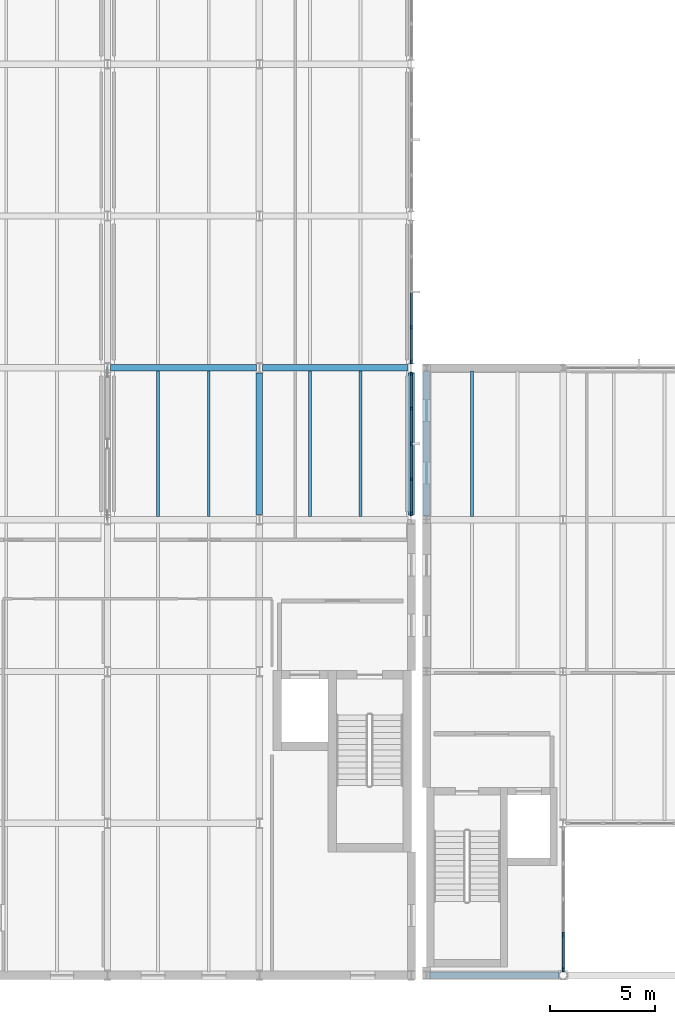
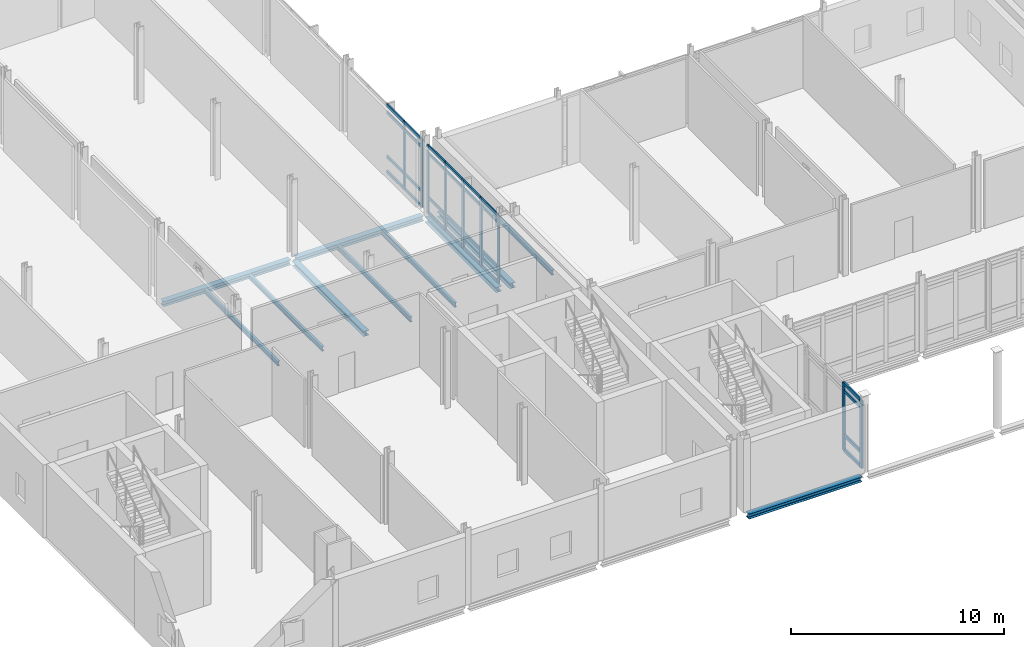
# One storey, part 14 of 72: 37 members, 11 beams, 3 elements without a shape of their own.
"""IFC4 building model written with IfcOpenShell, lengths in metres."""

from ifc_helpers import new_model, si_unit, direction, frame, origin, origin_2d, place, context, subcontext, project, spatial, rectangle, i_section, extrude, material, layer, layer_set, material_profile, profile_set, type_object, element, aggregate, save


model = new_model("IFC4")

# Units and contexts
model_context = context("Model", 3, precision=1e-05, world=origin(), true_north=direction((0.0, 1.0)))
body_context = subcontext(model_context, "Body", "Model", "MODEL_VIEW")
ifc_project = project(units=[si_unit("LENGTHUNIT", "METRE"), si_unit("AREAUNIT", "SQUARE_METRE"), si_unit("VOLUMEUNIT", "CUBIC_METRE"), si_unit("PLANEANGLEUNIT", "RADIAN"), si_unit("MASSUNIT", "GRAM", prefix="KILO")], contexts=[model_context])

# Site, building, storey
site_placement = place(None, origin())
site = spatial("IfcSite", under=ifc_project, at=site_placement, CompositionType="ELEMENT")
building_placement = place(site_placement, origin())
building = spatial("IfcBuilding", under=site, at=building_placement, Name="Zarrinpeak Specialist Clinic", CompositionType="ELEMENT")
storey_placement = place(building_placement, frame((0.0, 0.0, 9.60009765625)))
storey = spatial("IfcBuildingStorey", under=building, at=storey_placement, Name="L02", CompositionType="ELEMENT", Elevation=9.60009765625)

# Beams
ifc_material_1 = material(Name="Steel S355", Category="steel")
ifc_material_profile_1 = material_profile(ifc_material_1, i_section(OverallWidth=0.300048828125, OverallDepth=0.2900390625, WebThickness=0.008544921875, FlangeThickness=0.013916015625, FilletRadius=0.027099609375, at=origin_2d()), Name="HEA 300")
ifc_profile_set_1 = profile_set([ifc_material_profile_1], Name="Steel S355")
beam_type_1 = type_object("IfcBeamType", Name="BM-HEA300", PredefinedType="BEAM", material=ifc_profile_set_1)
beam_1_placement = place(storey_placement, frame((29.66796875, 0.0, -0.360107421875), z_axis=(1.0, 0.0, 0.0), x_axis=(0.0, 1.0, 0.0)))
element("IfcBeam", 1, at=beam_1_placement, inside=storey, type_object=beam_type_1, Name="L02 Primary Floor Girder BM-L02-X1112", PredefinedType="BEAM", context=body_context, shape_type="SweptSolid", body=[
    extrude(i_section(OverallWidth=0.300048828125, OverallDepth=0.2900390625, WebThickness=0.008544921875, FlangeThickness=0.013916015625, FilletRadius=0.027099609375, at=origin_2d()), origin(), (0.0, 0.0, 1.0), 6.130859375),
])
beam_2_placement = place(storey_placement, frame((14.548095703125, 28.800048828125, -0.360107421875), z_axis=(1.0, 0.0, 0.0), x_axis=(0.0, 1.0, 0.0)))
element("IfcBeam", 2, at=beam_2_placement, inside=storey, type_object=beam_type_1, Name="L02 Primary Floor Girder BM-L02-X1149", PredefinedType="BEAM", context=body_context, shape_type="SweptSolid", body=[
    extrude(i_section(OverallWidth=0.300048828125, OverallDepth=0.2900390625, WebThickness=0.008544921875, FlangeThickness=0.013916015625, FilletRadius=0.027099609375, at=origin_2d()), origin(), (0.0, 0.0, 1.0), 6.90380859375),
])
beam_3_placement = place(storey_placement, frame((21.748046875, 28.800048828125, -0.360107421875), z_axis=(1.0, 0.0, 0.0), x_axis=(0.0, 1.0, 0.0)))
element("IfcBeam", 3, at=beam_3_placement, inside=storey, type_object=beam_type_1, Name="L02 Primary Floor Girder BM-L02-X1150", PredefinedType="BEAM", context=body_context, shape_type="SweptSolid", body=[
    extrude(i_section(OverallWidth=0.300048828125, OverallDepth=0.2900390625, WebThickness=0.008544921875, FlangeThickness=0.013916015625, FilletRadius=0.027099609375, at=origin_2d()), origin(), (0.0, 0.0, 1.0), 6.904052734375),
])
for number, where, z_axis, x_axis, name in (
    (4, (21.60009765625, 21.847900390625, -0.360107421875), (0.0, 1.0, 0.0), (-1.0, 0.0, 0.0), "L02 Primary Beam BM-L02-Y1257"),
    (5, (28.800048828125, 21.847900390625, -0.360107421875), (0.0, 1.0, 0.0), (-1.0, 0.0, 0.0), "L02 Primary Beam BM-L02-Y1266"),
):
    element("IfcBeam", number, at=place(storey_placement, frame(where, z_axis=z_axis, x_axis=x_axis)), inside=storey, type_object=beam_type_1, Name=name, PredefinedType="BEAM", context=body_context, shape_type="SweptSolid", body=[
        extrude(i_section(OverallWidth=0.300048828125, OverallDepth=0.2900390625, WebThickness=0.008544921875, FlangeThickness=0.013916015625, FilletRadius=0.027099609375, at=origin_2d()), origin(), (0.0, 0.0, 1.0), 6.7041015625),
    ])
beam_4_placement = place(storey_placement, frame((29.52001953125, 21.798095703125, -0.360107421875), z_axis=(0.0, 1.0, 0.0), x_axis=(-1.0, 0.0, 0.0)))
element("IfcBeam", 6, at=beam_4_placement, inside=storey, type_object=beam_type_1, Name="L02 Primary Beam BM-L02-Y1274", PredefinedType="BEAM", context=body_context, shape_type="SweptSolid", body=[
    extrude(i_section(OverallWidth=0.300048828125, OverallDepth=0.2900390625, WebThickness=0.008544921875, FlangeThickness=0.013916015625, FilletRadius=0.027099609375, at=origin_2d()), origin(), (0.0, 0.0, 1.0), 6.843994140625),
])
ifc_material_profile_2 = material_profile(ifc_material_1, i_section(OverallWidth=0.135009765625, OverallDepth=0.27001953125, WebThickness=0.006591796875, FlangeThickness=0.01025390625, FilletRadius=0.014892578125, at=origin_2d()), Name="IPE 270")
ifc_profile_set_2 = profile_set([ifc_material_profile_2], Name="Steel S355")
beam_type_2 = type_object("IfcBeamType", Name="BM-JST270", PredefinedType="JOIST", material=ifc_profile_set_2)
for number, where, z_axis, x_axis, name in (
    (7, (16.800048828125, 21.748046875, -0.35009765625), (0.0, 1.0, 0.0), (-1.0, 0.0, 0.0), "L02 Composite Floor Joist JST-L02-1359"),
    (8, (19.199951171875, 21.748046875, -0.35009765625), (0.0, 1.0, 0.0), (-1.0, 0.0, 0.0), "L02 Composite Floor Joist JST-L02-1360"),
    (9, (24.0, 21.748046875, -0.35009765625), (0.0, 1.0, 0.0), (-1.0, 0.0, 0.0), "L02 Composite Floor Joist JST-L02-1367"),
    (10, (26.39990234375, 21.748046875, -0.35009765625), (0.0, 1.0, 0.0), (-1.0, 0.0, 0.0), "L02 Composite Floor Joist JST-L02-1368"),
    (11, (31.679931640625, 21.748046875, -0.35009765625), (0.0, 1.0, 0.0), (-1.0, 0.0, 0.0), "L02 Composite Floor Joist JST-L02-1377"),
):
    element("IfcBeam", number, at=place(storey_placement, frame(where, z_axis=z_axis, x_axis=x_axis)), inside=storey, type_object=beam_type_2, Name=name, PredefinedType="JOIST", context=body_context, shape_type="SweptSolid", body=[
        extrude(i_section(OverallWidth=0.135009765625, OverallDepth=0.27001953125, WebThickness=0.006591796875, FlangeThickness=0.01025390625, FilletRadius=0.014892578125, at=origin_2d()), origin(), (0.0, 0.0, 1.0), 6.904052734375),
    ])

# Curtain wall, members
ifc_material_2 = material(Name="Anodised Aluminium Alloy 6063-T6", Category="aluminium")
ifc_layer_1 = layer(ifc_material_2, 0.179931640625)
ifc_layer_set_1 = layer_set([ifc_layer_1], Name="Anodised Aluminium Alloy 6063-T6")
curtain_wall_type_1 = type_object("IfcCurtainWallType", Name="CW-COURT", PredefinedType="NOTDEFINED", material=ifc_layer_set_1)
curtain_wall_1_placement = place(storey_placement, origin())
curtain_wall_1 = element("IfcCurtainWall", 12, at=curtain_wall_1_placement, inside=storey, type_object=curtain_wall_type_1, Name="L02 V1 Unitised Curtain Wall CW-L02-V1-015", PredefinedType="NOTDEFINED")
ifc_material_profile_3 = material_profile(ifc_material_2, rectangle(XDim=0.074951171875, YDim=0.179931640625, at=origin_2d()), Name="ALU 75x180")
ifc_profile_set_3 = profile_set([ifc_material_profile_3], Name="Anodised Aluminium Alloy 6063-T6")
member_type_1 = type_object("IfcMemberType", Name="CWM-75", PredefinedType="MULLION", material=ifc_profile_set_3)
member_1_placement = place(storey_placement, frame((28.800048828125, 21.887451171875, 0.0), z_axis=(0.0, 0.0, 1.0), x_axis=(-1.0, 0.0, 0.0)))
member_1 = element("IfcMember", 13, at=member_1_placement, type_object=member_type_1, Name="CW-01 mullion 1", PredefinedType="MULLION", context=body_context, shape_type="SweptSolid", body=[
    extrude(rectangle(XDim=0.074951171875, YDim=0.179931640625, at=origin_2d()), origin(), (0.0, 0.0, 1.0), 3.89501953125),
])
member_2_placement = place(storey_placement, frame((28.800048828125, 23.52490234375, 0.0), z_axis=(0.0, 0.0, 1.0), x_axis=(-1.0, 0.0, 0.0)))
member_2 = element("IfcMember", 14, at=member_2_placement, type_object=member_type_1, Name="CW-01 mullion 2", PredefinedType="MULLION", context=body_context, shape_type="SweptSolid", body=[
    extrude(rectangle(XDim=0.074951171875, YDim=0.179931640625, at=origin_2d()), origin(), (0.0, 0.0, 1.0), 3.89501953125),
])
member_3_placement = place(storey_placement, frame((28.800048828125, 25.199951171875, 0.0), z_axis=(0.0, 0.0, 1.0), x_axis=(-1.0, 0.0, 0.0)))
member_3 = element("IfcMember", 15, at=member_3_placement, type_object=member_type_1, Name="CW-01 mullion 3", PredefinedType="MULLION", context=body_context, shape_type="SweptSolid", body=[
    extrude(rectangle(XDim=0.074951171875, YDim=0.179931640625, at=origin_2d()), origin(), (0.0, 0.0, 1.0), 3.89501953125),
])
member_4_placement = place(storey_placement, frame((28.800048828125, 26.875, 0.0), z_axis=(0.0, 0.0, 1.0), x_axis=(-1.0, 0.0, 0.0)))
member_4 = element("IfcMember", 16, at=member_4_placement, type_object=member_type_1, Name="CW-01 mullion 4", PredefinedType="MULLION", context=body_context, shape_type="SweptSolid", body=[
    extrude(rectangle(XDim=0.074951171875, YDim=0.179931640625, at=origin_2d()), origin(), (0.0, 0.0, 1.0), 3.89501953125),
])
member_5_placement = place(storey_placement, frame((28.800048828125, 28.512451171875, 0.0), z_axis=(0.0, 0.0, 1.0), x_axis=(-1.0, 0.0, 0.0)))
member_5 = element("IfcMember", 17, at=member_5_placement, type_object=member_type_1, Name="CW-01 mullion 5", PredefinedType="MULLION", context=body_context, shape_type="SweptSolid", body=[
    extrude(rectangle(XDim=0.074951171875, YDim=0.179931640625, at=origin_2d()), origin(), (0.0, 0.0, 1.0), 3.89501953125),
])

curtain_wall_2_placement = place(storey_placement, origin())
curtain_wall_2 = element("IfcCurtainWall", 18, at=curtain_wall_2_placement, inside=storey, type_object=curtain_wall_type_1, Name="L02 V1 Unitised Curtain Wall CW-L02-V1-016", PredefinedType="NOTDEFINED")
member_6_placement = place(storey_placement, frame((28.800048828125, 29.08740234375, 0.0), z_axis=(0.0, 0.0, 1.0), x_axis=(-1.0, 0.0, 0.0)))
member_6 = element("IfcMember", 19, at=member_6_placement, type_object=member_type_1, Name="CW-01 mullion 1", PredefinedType="MULLION", context=body_context, shape_type="SweptSolid", body=[
    extrude(rectangle(XDim=0.074951171875, YDim=0.179931640625, at=origin_2d()), origin(), (0.0, 0.0, 1.0), 3.885009765625),
])
member_7_placement = place(storey_placement, frame((28.800048828125, 30.72509765625, 0.0), z_axis=(0.0, 0.0, 1.0), x_axis=(-1.0, 0.0, 0.0)))
member_7 = element("IfcMember", 20, at=member_7_placement, type_object=member_type_1, Name="CW-01 mullion 2", PredefinedType="MULLION", context=body_context, shape_type="SweptSolid", body=[
    extrude(rectangle(XDim=0.074951171875, YDim=0.179931640625, at=origin_2d()), origin(), (0.0, 0.0, 1.0), 3.885009765625),
])

ifc_layer_2 = layer(ifc_material_2, 0.18994140625)
ifc_layer_set_2 = layer_set([ifc_layer_2], Name="Anodised Aluminium Alloy 6063-T6")
curtain_wall_type_2 = type_object("IfcCurtainWallType", Name="CW-LOGGIA", PredefinedType="NOTDEFINED", material=ifc_layer_set_2)
curtain_wall_3_placement = place(storey_placement, origin())
curtain_wall_3 = element("IfcCurtainWall", 21, at=curtain_wall_3_placement, inside=storey, type_object=curtain_wall_type_2, Name="L02 V2 Unitised Curtain Wall CW-L02-V2-053", PredefinedType="NOTDEFINED")
ifc_material_profile_4 = material_profile(ifc_material_2, rectangle(XDim=0.090087890625, YDim=0.219970703125, at=origin_2d()), Name="ALU 90x220")
ifc_profile_set_4 = profile_set([ifc_material_profile_4], Name="Anodised Aluminium Alloy 6063-T6")
member_type_2 = type_object("IfcMemberType", Name="CWM-90", PredefinedType="MULLION", material=ifc_profile_set_4)
member_8_placement = place(storey_placement, frame((36.0, 0.273193359375, 0.0), z_axis=(0.0, 0.0, 1.0), x_axis=(-1.0, 0.0, 0.0)))
member_8 = element("IfcMember", 22, at=member_8_placement, type_object=member_type_2, Name="CW-04 mullion 1", PredefinedType="MULLION", context=body_context, shape_type="SweptSolid", body=[
    extrude(rectangle(XDim=0.090087890625, YDim=0.219970703125, at=origin_2d()), origin(), (0.0, 0.0, 1.0), 3.885009765625),
])
member_9_placement = place(storey_placement, frame((36.0, 1.919921875, 0.0), z_axis=(0.0, 0.0, 1.0), x_axis=(-1.0, 0.0, 0.0)))
member_9 = element("IfcMember", 23, at=member_9_placement, type_object=member_type_2, Name="CW-04 mullion 2", PredefinedType="MULLION", context=body_context, shape_type="SweptSolid", body=[
    extrude(rectangle(XDim=0.090087890625, YDim=0.219970703125, at=origin_2d()), origin(), (0.0, 0.0, 1.0), 3.885009765625),
])

# Member
ifc_material_profile_5 = material_profile(ifc_material_2, rectangle(XDim=0.074951171875, YDim=0.159912109375, at=origin_2d()), Name="ALU 75x160")
ifc_profile_set_5 = profile_set([ifc_material_profile_5], Name="Anodised Aluminium Alloy 6063-T6")
member_type_3 = type_object("IfcMemberType", Name="CWT-75", PredefinedType="USERDEFINED", material=ifc_profile_set_5)
member_10_placement = place(storey_placement, frame((28.800048828125, 21.925048828125, 0.037353515625), z_axis=(0.0, 1.0, 0.0), x_axis=(-1.0, 0.0, 0.0)))
member_10 = element("IfcMember", 24, at=member_10_placement, type_object=member_type_3, Name="CW-01 transom 1.1", ObjectType="TRANSOM", PredefinedType="USERDEFINED", context=body_context, shape_type="SweptSolid", body=[
    extrude(rectangle(XDim=0.074951171875, YDim=0.159912109375, at=origin_2d()), origin(), (0.0, 0.0, 1.0), 1.5625),
])

member_11_placement = place(storey_placement, frame((28.800048828125, 21.925048828125, 0.89990234375), z_axis=(0.0, 1.0, 0.0), x_axis=(-1.0, 0.0, 0.0)))
member_11 = element("IfcMember", 25, at=member_11_placement, type_object=member_type_3, Name="CW-01 transom 1.2", ObjectType="TRANSOM", PredefinedType="USERDEFINED", context=body_context, shape_type="SweptSolid", body=[
    extrude(rectangle(XDim=0.074951171875, YDim=0.159912109375, at=origin_2d()), origin(), (0.0, 0.0, 1.0), 1.5625),
])

member_12_placement = place(storey_placement, frame((28.800048828125, 21.925048828125, 3.44482421875), z_axis=(0.0, 1.0, 0.0), x_axis=(-1.0, 0.0, 0.0)))
member_12 = element("IfcMember", 26, at=member_12_placement, type_object=member_type_3, Name="CW-01 transom 1.3", ObjectType="TRANSOM", PredefinedType="USERDEFINED", context=body_context, shape_type="SweptSolid", body=[
    extrude(rectangle(XDim=0.074951171875, YDim=0.159912109375, at=origin_2d()), origin(), (0.0, 0.0, 1.0), 1.5625),
])

member_13_placement = place(storey_placement, frame((28.800048828125, 21.925048828125, 3.857421875), z_axis=(0.0, 1.0, 0.0), x_axis=(-1.0, 0.0, 0.0)))
member_13 = element("IfcMember", 27, at=member_13_placement, type_object=member_type_3, Name="CW-01 transom 1.4", ObjectType="TRANSOM", PredefinedType="USERDEFINED", context=body_context, shape_type="SweptSolid", body=[
    extrude(rectangle(XDim=0.074951171875, YDim=0.159912109375, at=origin_2d()), origin(), (0.0, 0.0, 1.0), 1.5625),
])

member_14_placement = place(storey_placement, frame((28.800048828125, 23.5625, 0.037353515625), z_axis=(0.0, 1.0, 0.0), x_axis=(-1.0, 0.0, 0.0)))
member_14 = element("IfcMember", 28, at=member_14_placement, type_object=member_type_3, Name="CW-01 transom 2.1", ObjectType="TRANSOM", PredefinedType="USERDEFINED", context=body_context, shape_type="SweptSolid", body=[
    extrude(rectangle(XDim=0.074951171875, YDim=0.159912109375, at=origin_2d()), origin(), (0.0, 0.0, 1.0), 1.60009765625),
])

member_15_placement = place(storey_placement, frame((28.800048828125, 23.5625, 0.89990234375), z_axis=(0.0, 1.0, 0.0), x_axis=(-1.0, 0.0, 0.0)))
member_15 = element("IfcMember", 29, at=member_15_placement, type_object=member_type_3, Name="CW-01 transom 2.2", ObjectType="TRANSOM", PredefinedType="USERDEFINED", context=body_context, shape_type="SweptSolid", body=[
    extrude(rectangle(XDim=0.074951171875, YDim=0.159912109375, at=origin_2d()), origin(), (0.0, 0.0, 1.0), 1.60009765625),
])

member_16_placement = place(storey_placement, frame((28.800048828125, 23.5625, 3.44482421875), z_axis=(0.0, 1.0, 0.0), x_axis=(-1.0, 0.0, 0.0)))
member_16 = element("IfcMember", 30, at=member_16_placement, type_object=member_type_3, Name="CW-01 transom 2.3", ObjectType="TRANSOM", PredefinedType="USERDEFINED", context=body_context, shape_type="SweptSolid", body=[
    extrude(rectangle(XDim=0.074951171875, YDim=0.159912109375, at=origin_2d()), origin(), (0.0, 0.0, 1.0), 1.60009765625),
])

member_17_placement = place(storey_placement, frame((28.800048828125, 23.5625, 3.857421875), z_axis=(0.0, 1.0, 0.0), x_axis=(-1.0, 0.0, 0.0)))
member_17 = element("IfcMember", 31, at=member_17_placement, type_object=member_type_3, Name="CW-01 transom 2.4", ObjectType="TRANSOM", PredefinedType="USERDEFINED", context=body_context, shape_type="SweptSolid", body=[
    extrude(rectangle(XDim=0.074951171875, YDim=0.159912109375, at=origin_2d()), origin(), (0.0, 0.0, 1.0), 1.60009765625),
])

member_18_placement = place(storey_placement, frame((28.800048828125, 25.237548828125, 0.037353515625), z_axis=(0.0, 1.0, 0.0), x_axis=(-1.0, 0.0, 0.0)))
member_18 = element("IfcMember", 32, at=member_18_placement, type_object=member_type_3, Name="CW-01 transom 3.1", ObjectType="TRANSOM", PredefinedType="USERDEFINED", context=body_context, shape_type="SweptSolid", body=[
    extrude(rectangle(XDim=0.074951171875, YDim=0.159912109375, at=origin_2d()), origin(), (0.0, 0.0, 1.0), 1.599853515625),
])

member_19_placement = place(storey_placement, frame((28.800048828125, 25.237548828125, 0.89990234375), z_axis=(0.0, 1.0, 0.0), x_axis=(-1.0, 0.0, 0.0)))
member_19 = element("IfcMember", 33, at=member_19_placement, type_object=member_type_3, Name="CW-01 transom 3.2", ObjectType="TRANSOM", PredefinedType="USERDEFINED", context=body_context, shape_type="SweptSolid", body=[
    extrude(rectangle(XDim=0.074951171875, YDim=0.159912109375, at=origin_2d()), origin(), (0.0, 0.0, 1.0), 1.599853515625),
])

member_20_placement = place(storey_placement, frame((28.800048828125, 25.237548828125, 3.44482421875), z_axis=(0.0, 1.0, 0.0), x_axis=(-1.0, 0.0, 0.0)))
member_20 = element("IfcMember", 34, at=member_20_placement, type_object=member_type_3, Name="CW-01 transom 3.3", ObjectType="TRANSOM", PredefinedType="USERDEFINED", context=body_context, shape_type="SweptSolid", body=[
    extrude(rectangle(XDim=0.074951171875, YDim=0.159912109375, at=origin_2d()), origin(), (0.0, 0.0, 1.0), 1.599853515625),
])

member_21_placement = place(storey_placement, frame((28.800048828125, 25.237548828125, 3.857421875), z_axis=(0.0, 1.0, 0.0), x_axis=(-1.0, 0.0, 0.0)))
member_21 = element("IfcMember", 35, at=member_21_placement, type_object=member_type_3, Name="CW-01 transom 3.4", ObjectType="TRANSOM", PredefinedType="USERDEFINED", context=body_context, shape_type="SweptSolid", body=[
    extrude(rectangle(XDim=0.074951171875, YDim=0.159912109375, at=origin_2d()), origin(), (0.0, 0.0, 1.0), 1.599853515625),
])

member_22_placement = place(storey_placement, frame((28.800048828125, 26.91259765625, 0.037353515625), z_axis=(0.0, 1.0, 0.0), x_axis=(-1.0, 0.0, 0.0)))
member_22 = element("IfcMember", 36, at=member_22_placement, type_object=member_type_3, Name="CW-01 transom 4.1", ObjectType="TRANSOM", PredefinedType="USERDEFINED", context=body_context, shape_type="SweptSolid", body=[
    extrude(rectangle(XDim=0.074951171875, YDim=0.159912109375, at=origin_2d()), origin(), (0.0, 0.0, 1.0), 1.5625),
])

member_23_placement = place(storey_placement, frame((28.800048828125, 26.91259765625, 0.89990234375), z_axis=(0.0, 1.0, 0.0), x_axis=(-1.0, 0.0, 0.0)))
member_23 = element("IfcMember", 37, at=member_23_placement, type_object=member_type_3, Name="CW-01 transom 4.2", ObjectType="TRANSOM", PredefinedType="USERDEFINED", context=body_context, shape_type="SweptSolid", body=[
    extrude(rectangle(XDim=0.074951171875, YDim=0.159912109375, at=origin_2d()), origin(), (0.0, 0.0, 1.0), 1.5625),
])

member_24_placement = place(storey_placement, frame((28.800048828125, 26.91259765625, 3.44482421875), z_axis=(0.0, 1.0, 0.0), x_axis=(-1.0, 0.0, 0.0)))
member_24 = element("IfcMember", 38, at=member_24_placement, type_object=member_type_3, Name="CW-01 transom 4.3", ObjectType="TRANSOM", PredefinedType="USERDEFINED", context=body_context, shape_type="SweptSolid", body=[
    extrude(rectangle(XDim=0.074951171875, YDim=0.159912109375, at=origin_2d()), origin(), (0.0, 0.0, 1.0), 1.5625),
])

member_25_placement = place(storey_placement, frame((28.800048828125, 26.91259765625, 3.857421875), z_axis=(0.0, 1.0, 0.0), x_axis=(-1.0, 0.0, 0.0)))
member_25 = element("IfcMember", 39, at=member_25_placement, type_object=member_type_3, Name="CW-01 transom 4.4", ObjectType="TRANSOM", PredefinedType="USERDEFINED", context=body_context, shape_type="SweptSolid", body=[
    extrude(rectangle(XDim=0.074951171875, YDim=0.159912109375, at=origin_2d()), origin(), (0.0, 0.0, 1.0), 1.5625),
])

aggregate(curtain_wall_1, [member_1, member_2, member_3, member_4, member_5, member_10, member_11, member_12, member_13, member_14, member_15, member_16, member_17, member_18, member_19, member_20, member_21, member_22, member_23, member_24, member_25])

member_26_placement = place(storey_placement, frame((28.800048828125, 29.125, 0.037353515625), z_axis=(0.0, 1.0, 0.0), x_axis=(-1.0, 0.0, 0.0)))
member_26 = element("IfcMember", 40, at=member_26_placement, type_object=member_type_3, Name="CW-01 transom 1.1", ObjectType="TRANSOM", PredefinedType="USERDEFINED", context=body_context, shape_type="SweptSolid", body=[
    extrude(rectangle(XDim=0.074951171875, YDim=0.159912109375, at=origin_2d()), origin(), (0.0, 0.0, 1.0), 1.5625),
])

member_27_placement = place(storey_placement, frame((28.800048828125, 29.125, 0.89990234375), z_axis=(0.0, 1.0, 0.0), x_axis=(-1.0, 0.0, 0.0)))
member_27 = element("IfcMember", 41, at=member_27_placement, type_object=member_type_3, Name="CW-01 transom 1.2", ObjectType="TRANSOM", PredefinedType="USERDEFINED", context=body_context, shape_type="SweptSolid", body=[
    extrude(rectangle(XDim=0.074951171875, YDim=0.159912109375, at=origin_2d()), origin(), (0.0, 0.0, 1.0), 1.5625),
])

member_28_placement = place(storey_placement, frame((28.800048828125, 29.125, 3.434814453125), z_axis=(0.0, 1.0, 0.0), x_axis=(-1.0, 0.0, 0.0)))
member_28 = element("IfcMember", 42, at=member_28_placement, type_object=member_type_3, Name="CW-01 transom 1.3", ObjectType="TRANSOM", PredefinedType="USERDEFINED", context=body_context, shape_type="SweptSolid", body=[
    extrude(rectangle(XDim=0.074951171875, YDim=0.159912109375, at=origin_2d()), origin(), (0.0, 0.0, 1.0), 1.5625),
])

member_29_placement = place(storey_placement, frame((28.800048828125, 29.125, 3.847412109375), z_axis=(0.0, 1.0, 0.0), x_axis=(-1.0, 0.0, 0.0)))
member_29 = element("IfcMember", 43, at=member_29_placement, type_object=member_type_3, Name="CW-01 transom 1.4", ObjectType="TRANSOM", PredefinedType="USERDEFINED", context=body_context, shape_type="SweptSolid", body=[
    extrude(rectangle(XDim=0.074951171875, YDim=0.159912109375, at=origin_2d()), origin(), (0.0, 0.0, 1.0), 1.5625),
])

member_30_placement = place(storey_placement, frame((28.800048828125, 30.762451171875, 0.037353515625), z_axis=(0.0, 1.0, 0.0), x_axis=(-1.0, 0.0, 0.0)))
member_30 = element("IfcMember", 44, at=member_30_placement, type_object=member_type_3, Name="CW-01 transom 2.1", ObjectType="TRANSOM", PredefinedType="USERDEFINED", context=body_context, shape_type="SweptSolid", body=[
    extrude(rectangle(XDim=0.074951171875, YDim=0.159912109375, at=origin_2d()), origin(), (0.0, 0.0, 1.0), 1.60009765625),
])

member_31_placement = place(storey_placement, frame((28.800048828125, 30.762451171875, 0.89990234375), z_axis=(0.0, 1.0, 0.0), x_axis=(-1.0, 0.0, 0.0)))
member_31 = element("IfcMember", 45, at=member_31_placement, type_object=member_type_3, Name="CW-01 transom 2.2", ObjectType="TRANSOM", PredefinedType="USERDEFINED", context=body_context, shape_type="SweptSolid", body=[
    extrude(rectangle(XDim=0.074951171875, YDim=0.159912109375, at=origin_2d()), origin(), (0.0, 0.0, 1.0), 1.60009765625),
])

member_32_placement = place(storey_placement, frame((28.800048828125, 30.762451171875, 3.434814453125), z_axis=(0.0, 1.0, 0.0), x_axis=(-1.0, 0.0, 0.0)))
member_32 = element("IfcMember", 46, at=member_32_placement, type_object=member_type_3, Name="CW-01 transom 2.3", ObjectType="TRANSOM", PredefinedType="USERDEFINED", context=body_context, shape_type="SweptSolid", body=[
    extrude(rectangle(XDim=0.074951171875, YDim=0.159912109375, at=origin_2d()), origin(), (0.0, 0.0, 1.0), 1.60009765625),
])

member_33_placement = place(storey_placement, frame((28.800048828125, 30.762451171875, 3.847412109375), z_axis=(0.0, 1.0, 0.0), x_axis=(-1.0, 0.0, 0.0)))
member_33 = element("IfcMember", 47, at=member_33_placement, type_object=member_type_3, Name="CW-01 transom 2.4", ObjectType="TRANSOM", PredefinedType="USERDEFINED", context=body_context, shape_type="SweptSolid", body=[
    extrude(rectangle(XDim=0.074951171875, YDim=0.159912109375, at=origin_2d()), origin(), (0.0, 0.0, 1.0), 1.60009765625),
])

aggregate(curtain_wall_2, [member_6, member_7, member_26, member_27, member_28, member_29, member_30, member_31, member_32, member_33])

ifc_material_profile_6 = material_profile(ifc_material_2, rectangle(XDim=0.090087890625, YDim=0.18994140625, at=origin_2d()), Name="ALU 90x190")
ifc_profile_set_6 = profile_set([ifc_material_profile_6], Name="Anodised Aluminium Alloy 6063-T6")
member_type_4 = type_object("IfcMemberType", Name="CWT-90", PredefinedType="USERDEFINED", material=ifc_profile_set_6)
member_34_placement = place(storey_placement, frame((36.0, 0.318115234375, 0.044921875), z_axis=(0.0, 1.0, 0.0), x_axis=(-1.0, 0.0, 0.0)))
member_34 = element("IfcMember", 48, at=member_34_placement, type_object=member_type_4, Name="CW-04 transom 1.1", ObjectType="TRANSOM", PredefinedType="USERDEFINED", context=body_context, shape_type="SweptSolid", body=[
    extrude(rectangle(XDim=0.090087890625, YDim=0.18994140625, at=origin_2d()), origin(), (0.0, 0.0, 1.0), 1.556884765625),
])

member_35_placement = place(storey_placement, frame((36.0, 0.318115234375, 0.89990234375), z_axis=(0.0, 1.0, 0.0), x_axis=(-1.0, 0.0, 0.0)))
member_35 = element("IfcMember", 49, at=member_35_placement, type_object=member_type_4, Name="CW-04 transom 1.2", ObjectType="TRANSOM", PredefinedType="USERDEFINED", context=body_context, shape_type="SweptSolid", body=[
    extrude(rectangle(XDim=0.090087890625, YDim=0.18994140625, at=origin_2d()), origin(), (0.0, 0.0, 1.0), 1.556884765625),
])

member_36_placement = place(storey_placement, frame((36.0, 0.318115234375, 3.434814453125), z_axis=(0.0, 1.0, 0.0), x_axis=(-1.0, 0.0, 0.0)))
member_36 = element("IfcMember", 50, at=member_36_placement, type_object=member_type_4, Name="CW-04 transom 1.3", ObjectType="TRANSOM", PredefinedType="USERDEFINED", context=body_context, shape_type="SweptSolid", body=[
    extrude(rectangle(XDim=0.090087890625, YDim=0.18994140625, at=origin_2d()), origin(), (0.0, 0.0, 1.0), 1.556884765625),
])

member_37_placement = place(storey_placement, frame((36.0, 0.318115234375, 3.83984375), z_axis=(0.0, 1.0, 0.0), x_axis=(-1.0, 0.0, 0.0)))
member_37 = element("IfcMember", 51, at=member_37_placement, type_object=member_type_4, Name="CW-04 transom 1.4", ObjectType="TRANSOM", PredefinedType="USERDEFINED", context=body_context, shape_type="SweptSolid", body=[
    extrude(rectangle(XDim=0.090087890625, YDim=0.18994140625, at=origin_2d()), origin(), (0.0, 0.0, 1.0), 1.556884765625),
])

aggregate(curtain_wall_3, [member_8, member_9, member_34, member_35, member_36, member_37])

save(model, "model.ifc")
